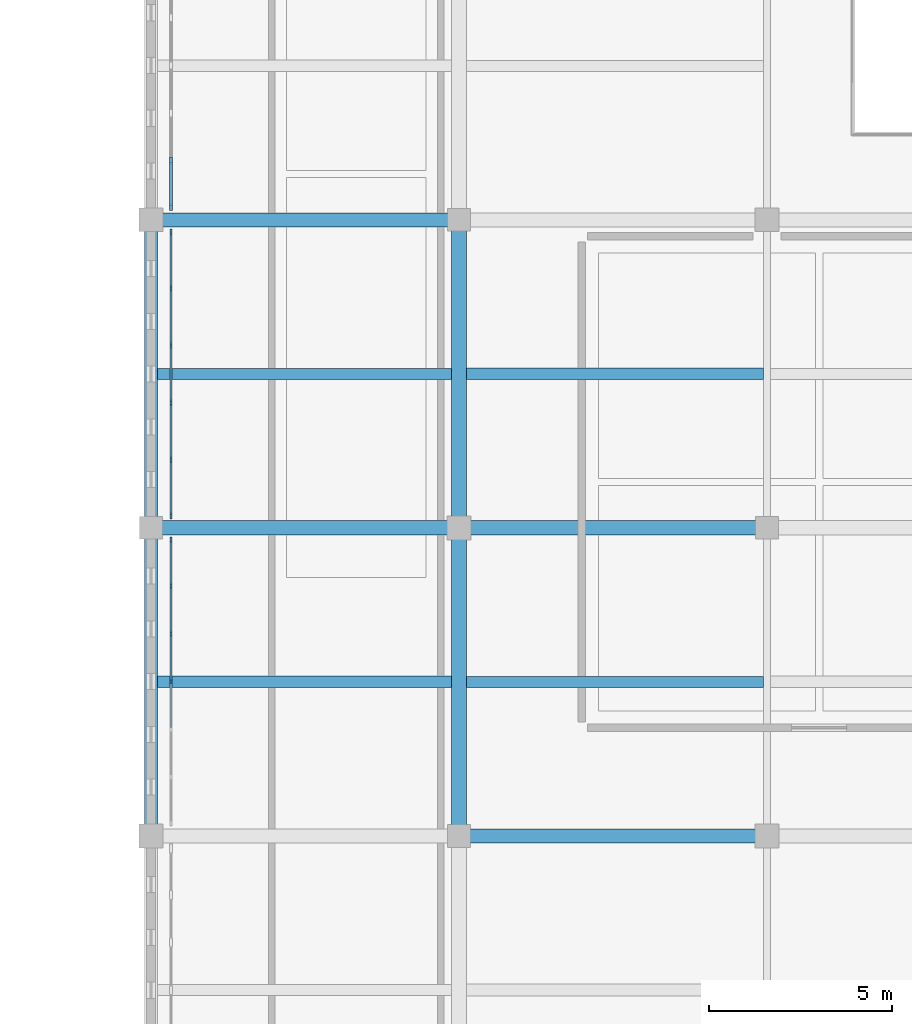
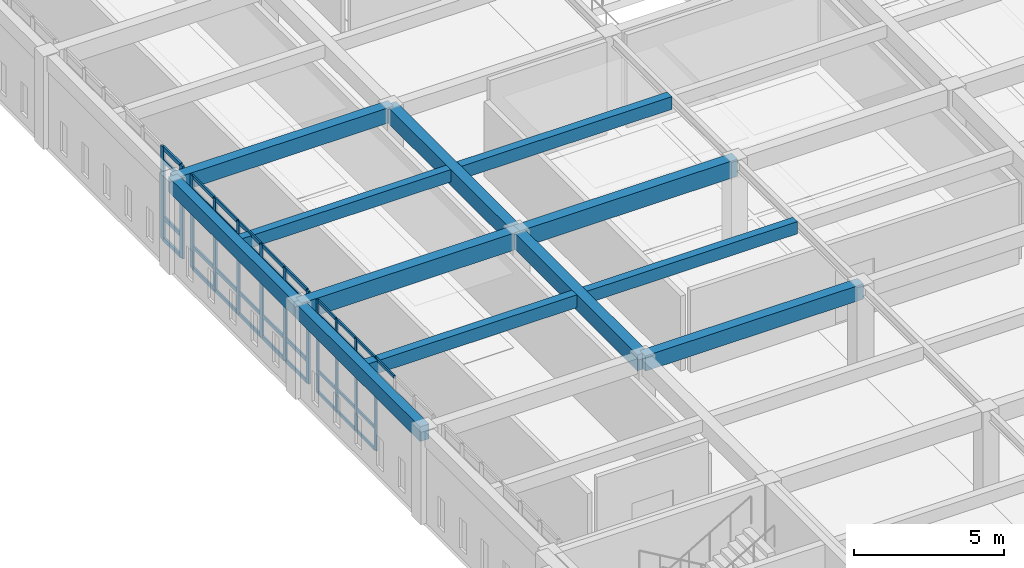
# One storey, part 6 of 47: 49 members, 12 beams, 3 elements without a shape of their own.
"""IFC4 building model written with IfcOpenShell, lengths in metres."""

from ifc_helpers import new_model, si_unit, direction, frame, origin, origin_2d, place, context, subcontext, project, spatial, rectangle, extrude, material, layer, layer_set, material_profile, profile_set, type_object, element, aggregate, save


model = new_model("IFC4")

# Units and contexts
model_context = context("Model", 3, precision=1e-05, world=origin(), true_north=direction((0.0, 1.0)))
body_context = subcontext(model_context, "Body", "Model", "MODEL_VIEW")
ifc_project = project(units=[si_unit("LENGTHUNIT", "METRE"), si_unit("AREAUNIT", "SQUARE_METRE"), si_unit("VOLUMEUNIT", "CUBIC_METRE"), si_unit("PLANEANGLEUNIT", "RADIAN"), si_unit("MASSUNIT", "GRAM", prefix="KILO")], contexts=[model_context])

# Site, building, storey
site_placement = place(None, origin())
site = spatial("IfcSite", under=ifc_project, at=site_placement, CompositionType="ELEMENT")
building_placement = place(site_placement, origin())
building = spatial("IfcBuilding", under=site, at=building_placement, Name="Kveldsbrygga Polytechnic", CompositionType="ELEMENT")
storey_placement = place(building_placement, frame((0.0, 0.0, 13.93994140625)))
storey = spatial("IfcBuildingStorey", under=building, at=storey_placement, Name="L03", CompositionType="ELEMENT", Elevation=13.93994140625)

# Beams
ifc_material_1 = material(Name="Concrete C35/45", Category="concrete")
ifc_material_profile_1 = material_profile(ifc_material_1, rectangle(XDim=0.3798828125, YDim=0.6201171875, at=origin_2d()), Name="RC 380x620")
ifc_profile_set_1 = profile_set([ifc_material_profile_1], Name="Concrete C35/45")
beam_type_1 = type_object("IfcBeamType", Name="BM-RC-380x620", PredefinedType="BEAM", material=ifc_profile_set_1)
beam_1_placement = place(storey_placement, frame((134.39990234375, 42.0, 3.43994140625), z_axis=(1.0, 0.0, 0.0), x_axis=(0.0, 1.0, 0.0)))
element("IfcBeam", 1, at=beam_1_placement, inside=storey, type_object=beam_type_1, Name="Primary Beam BMX-L03-16to17-05", PredefinedType="BEAM", context=body_context, shape_type="SweptSolid", body=[
    extrude(rectangle(XDim=0.3798828125, YDim=0.6201171875, at=origin_2d()), origin(), (0.0, 0.0, 1.0), 8.400146484375),
])
beam_2_placement = place(storey_placement, frame((126.0, 58.800048828125, 3.43994140625), z_axis=(1.0, 0.0, 0.0), x_axis=(0.0, 1.0, 0.0)))
element("IfcBeam", 2, at=beam_2_placement, inside=storey, type_object=beam_type_1, Name="Primary Beam BMX-L03-15to16-07", PredefinedType="BEAM", context=body_context, shape_type="SweptSolid", body=[
    extrude(rectangle(XDim=0.3798828125, YDim=0.6201171875, at=origin_2d()), origin(), (0.0, 0.0, 1.0), 8.39990234375),
])
ifc_material_profile_2 = material_profile(ifc_material_1, rectangle(XDim=0.39990234375, YDim=0.64990234375, at=origin_2d()), Name="RC 400x650")
ifc_profile_set_2 = profile_set([ifc_material_profile_2], Name="Concrete C35/45")
beam_type_2 = type_object("IfcBeamType", Name="BM-RC-400x650", PredefinedType="BEAM", material=ifc_profile_set_2)
beam_3_placement = place(storey_placement, frame((134.39990234375, 42.0, 3.425048828125), z_axis=(0.0, 1.0, 0.0), x_axis=(-1.0, 0.0, 0.0)))
element("IfcBeam", 3, at=beam_3_placement, inside=storey, type_object=beam_type_2, Name="Primary Beam BMY-L03-16-05to06", PredefinedType="BEAM", context=body_context, shape_type="SweptSolid", body=[
    extrude(rectangle(XDim=0.39990234375, YDim=0.64990234375, at=origin_2d()), origin(), (0.0, 0.0, 1.0), 8.39990234375),
])
beam_4_placement = place(storey_placement, frame((134.39990234375, 50.39990234375, 3.425048828125), z_axis=(0.0, 1.0, 0.0), x_axis=(-1.0, 0.0, 0.0)))
element("IfcBeam", 4, at=beam_4_placement, inside=storey, type_object=beam_type_2, Name="Primary Beam BMY-L03-16-06to07", PredefinedType="BEAM", context=body_context, shape_type="SweptSolid", body=[
    extrude(rectangle(XDim=0.39990234375, YDim=0.64990234375, at=origin_2d()), origin(), (0.0, 0.0, 1.0), 8.400146484375),
])
ifc_material_profile_3 = material_profile(ifc_material_1, rectangle(XDim=0.39990234375, YDim=0.699951171875, at=origin_2d()), Name="RC 400x700")
ifc_profile_set_3 = profile_set([ifc_material_profile_3], Name="Concrete C35/45")
beam_type_3 = type_object("IfcBeamType", Name="BM-RC-400x700", PredefinedType="BEAM", material=ifc_profile_set_3)
beam_5_placement = place(storey_placement, frame((126.0, 50.39990234375, 3.400146484375), z_axis=(1.0, 0.0, 0.0), x_axis=(0.0, 1.0, 0.0)))
element("IfcBeam", 5, at=beam_5_placement, inside=storey, type_object=beam_type_3, Name="Primary Beam BMX-L03-15to16-06", PredefinedType="BEAM", context=body_context, shape_type="SweptSolid", body=[
    extrude(rectangle(XDim=0.39990234375, YDim=0.699951171875, at=origin_2d()), origin(), (0.0, 0.0, 1.0), 8.39990234375),
])
beam_6_placement = place(storey_placement, frame((134.39990234375, 50.39990234375, 3.400146484375), z_axis=(1.0, 0.0, 0.0), x_axis=(0.0, 1.0, 0.0)))
element("IfcBeam", 6, at=beam_6_placement, inside=storey, type_object=beam_type_3, Name="Primary Beam BMX-L03-16to17-06", PredefinedType="BEAM", context=body_context, shape_type="SweptSolid", body=[
    extrude(rectangle(XDim=0.39990234375, YDim=0.699951171875, at=origin_2d()), origin(), (0.0, 0.0, 1.0), 8.400146484375),
])
ifc_material_profile_4 = material_profile(ifc_material_1, rectangle(XDim=0.35009765625, YDim=0.60009765625, at=origin_2d()), Name="RC 350x600")
ifc_profile_set_4 = profile_set([ifc_material_profile_4], Name="Concrete C35/45")
beam_type_4 = type_object("IfcBeamType", Name="BM-SPANDREL-600", PredefinedType="T_BEAM", material=ifc_profile_set_4)
beam_7_placement = place(storey_placement, frame((126.0, 42.0, 3.449951171875), z_axis=(0.0, 1.0, 0.0), x_axis=(-1.0, 0.0, 0.0)))
element("IfcBeam", 7, at=beam_7_placement, inside=storey, type_object=beam_type_4, Name="Primary Beam BMY-L03-15-05to06", PredefinedType="T_BEAM", context=body_context, shape_type="SweptSolid", body=[
    extrude(rectangle(XDim=0.35009765625, YDim=0.60009765625, at=origin_2d()), origin(), (0.0, 0.0, 1.0), 8.39990234375),
])
beam_8_placement = place(storey_placement, frame((126.0, 50.39990234375, 3.449951171875), z_axis=(0.0, 1.0, 0.0), x_axis=(-1.0, 0.0, 0.0)))
element("IfcBeam", 8, at=beam_8_placement, inside=storey, type_object=beam_type_4, Name="Primary Beam BMY-L03-15-06to07", PredefinedType="T_BEAM", context=body_context, shape_type="SweptSolid", body=[
    extrude(rectangle(XDim=0.35009765625, YDim=0.60009765625, at=origin_2d()), origin(), (0.0, 0.0, 1.0), 8.400146484375),
])

# Curtain wall, members
ifc_material_2 = material(Name="Anodised aluminium AW-6060", Category="aluminium")
ifc_layer_1 = layer(ifc_material_2, 0.179931640625)
ifc_layer_set_1 = layer_set([ifc_layer_1], Name="Anodised aluminium AW-6060")
curtain_wall_type_1 = type_object("IfcCurtainWallType", Name="CW-CONC-A", PredefinedType="USERDEFINED", material=ifc_layer_set_1)
curtain_wall_1_placement = place(storey_placement, origin())
curtain_wall_1 = element("IfcCurtainWall", 9, at=curtain_wall_1_placement, inside=storey, type_object=curtain_wall_type_1, Name="Curtain Wall CW-L03-Y-15-05", ObjectType="UNITISED CURTAIN WALL", PredefinedType="USERDEFINED")
ifc_material_profile_5 = material_profile(ifc_material_2, rectangle(XDim=0.06005859375, YDim=0.139892578125, at=origin_2d()), Name="ALU 60x140")
ifc_profile_set_5 = profile_set([ifc_material_profile_5], Name="Anodised aluminium AW-6060")
member_type_1 = type_object("IfcMemberType", Name="CW-MUL-140", PredefinedType="MULLION", material=ifc_profile_set_5)
member_1_placement = place(storey_placement, frame((126.550048828125, 46.20751953125, 0.0), z_axis=(0.0, 0.0, 1.0), x_axis=(-1.0, 0.0, 0.0)))
member_1 = element("IfcMember", 10, at=member_1_placement, type_object=member_type_1, Name="CW-01 mullion 4", PredefinedType="MULLION", context=body_context, shape_type="SweptSolid", body=[
    extrude(rectangle(XDim=0.06005859375, YDim=0.139892578125, at=origin_2d()), origin(), (0.0, 0.0, 1.0), 3.780029296875),
])
member_2_placement = place(storey_placement, frame((126.550048828125, 47.506591796875, 0.0), z_axis=(0.0, 0.0, 1.0), x_axis=(-1.0, 0.0, 0.0)))
member_2 = element("IfcMember", 11, at=member_2_placement, type_object=member_type_1, Name="CW-01 mullion 5", PredefinedType="MULLION", context=body_context, shape_type="SweptSolid", body=[
    extrude(rectangle(XDim=0.06005859375, YDim=0.139892578125, at=origin_2d()), origin(), (0.0, 0.0, 1.0), 3.780029296875),
])
member_3_placement = place(storey_placement, frame((126.550048828125, 48.805908203125, 0.0), z_axis=(0.0, 0.0, 1.0), x_axis=(-1.0, 0.0, 0.0)))
member_3 = element("IfcMember", 12, at=member_3_placement, type_object=member_type_1, Name="CW-01 mullion 6", PredefinedType="MULLION", context=body_context, shape_type="SweptSolid", body=[
    extrude(rectangle(XDim=0.06005859375, YDim=0.139892578125, at=origin_2d()), origin(), (0.0, 0.0, 1.0), 3.780029296875),
])
member_4_placement = place(storey_placement, frame((126.550048828125, 50.074951171875, 0.0), z_axis=(0.0, 0.0, 1.0), x_axis=(-1.0, 0.0, 0.0)))
member_4 = element("IfcMember", 13, at=member_4_placement, type_object=member_type_1, Name="CW-01 mullion 7", PredefinedType="MULLION", context=body_context, shape_type="SweptSolid", body=[
    extrude(rectangle(XDim=0.06005859375, YDim=0.139892578125, at=origin_2d()), origin(), (0.0, 0.0, 1.0), 3.780029296875),
])

ifc_layer_2 = layer(ifc_material_2, 0.199951171875)
ifc_layer_set_2 = layer_set([ifc_layer_2], Name="Anodised aluminium AW-6060")
curtain_wall_type_2 = type_object("IfcCurtainWallType", Name="CW-CONC-B", PredefinedType="USERDEFINED", material=ifc_layer_set_2)
curtain_wall_2_placement = place(storey_placement, origin())
curtain_wall_2 = element("IfcCurtainWall", 14, at=curtain_wall_2_placement, inside=storey, type_object=curtain_wall_type_2, Name="Curtain Wall CW-L03-Y-15-06", ObjectType="UNITISED CURTAIN WALL", PredefinedType="USERDEFINED")
ifc_material_profile_6 = material_profile(ifc_material_2, rectangle(XDim=0.06005859375, YDim=0.179931640625, at=origin_2d()), Name="ALU 60x180")
ifc_profile_set_6 = profile_set([ifc_material_profile_6], Name="Anodised aluminium AW-6060")
member_type_2 = type_object("IfcMemberType", Name="CW-MUL-180", PredefinedType="MULLION", material=ifc_profile_set_6)
member_5_placement = place(storey_placement, frame((126.550048828125, 50.72509765625, 0.0), z_axis=(0.0, 0.0, 1.0), x_axis=(-1.0, 0.0, 0.0)))
member_5 = element("IfcMember", 15, at=member_5_placement, type_object=member_type_2, Name="CW-02 mullion 1", PredefinedType="MULLION", context=body_context, shape_type="SweptSolid", body=[
    extrude(rectangle(XDim=0.06005859375, YDim=0.179931640625, at=origin_2d()), origin(), (0.0, 0.0, 1.0), 3.780029296875),
])
member_6_placement = place(storey_placement, frame((126.550048828125, 52.25390625, 0.0), z_axis=(0.0, 0.0, 1.0), x_axis=(-1.0, 0.0, 0.0)))
member_6 = element("IfcMember", 16, at=member_6_placement, type_object=member_type_2, Name="CW-02 mullion 2", PredefinedType="MULLION", context=body_context, shape_type="SweptSolid", body=[
    extrude(rectangle(XDim=0.06005859375, YDim=0.179931640625, at=origin_2d()), origin(), (0.0, 0.0, 1.0), 3.780029296875),
])
member_7_placement = place(storey_placement, frame((126.550048828125, 53.81298828125, 0.0), z_axis=(0.0, 0.0, 1.0), x_axis=(-1.0, 0.0, 0.0)))
member_7 = element("IfcMember", 17, at=member_7_placement, type_object=member_type_2, Name="CW-02 mullion 3", PredefinedType="MULLION", context=body_context, shape_type="SweptSolid", body=[
    extrude(rectangle(XDim=0.06005859375, YDim=0.179931640625, at=origin_2d()), origin(), (0.0, 0.0, 1.0), 3.780029296875),
])
member_8_placement = place(storey_placement, frame((126.550048828125, 55.3720703125, 0.0), z_axis=(0.0, 0.0, 1.0), x_axis=(-1.0, 0.0, 0.0)))
member_8 = element("IfcMember", 18, at=member_8_placement, type_object=member_type_2, Name="CW-02 mullion 4", PredefinedType="MULLION", context=body_context, shape_type="SweptSolid", body=[
    extrude(rectangle(XDim=0.06005859375, YDim=0.179931640625, at=origin_2d()), origin(), (0.0, 0.0, 1.0), 3.780029296875),
])
member_9_placement = place(storey_placement, frame((126.550048828125, 56.930908203125, 0.0), z_axis=(0.0, 0.0, 1.0), x_axis=(-1.0, 0.0, 0.0)))
member_9 = element("IfcMember", 19, at=member_9_placement, type_object=member_type_2, Name="CW-02 mullion 5", PredefinedType="MULLION", context=body_context, shape_type="SweptSolid", body=[
    extrude(rectangle(XDim=0.06005859375, YDim=0.179931640625, at=origin_2d()), origin(), (0.0, 0.0, 1.0), 3.780029296875),
])
member_10_placement = place(storey_placement, frame((126.550048828125, 58.4599609375, 0.0), z_axis=(0.0, 0.0, 1.0), x_axis=(-1.0, 0.0, 0.0)))
member_10 = element("IfcMember", 20, at=member_10_placement, type_object=member_type_2, Name="CW-02 mullion 6", PredefinedType="MULLION", context=body_context, shape_type="SweptSolid", body=[
    extrude(rectangle(XDim=0.06005859375, YDim=0.179931640625, at=origin_2d()), origin(), (0.0, 0.0, 1.0), 3.780029296875),
])

ifc_layer_3 = layer(ifc_material_2, 0.159912109375)
ifc_layer_set_3 = layer_set([ifc_layer_3], Name="Anodised aluminium AW-6060")
curtain_wall_type_3 = type_object("IfcCurtainWallType", Name="CW-CLER-C", PredefinedType="USERDEFINED", material=ifc_layer_set_3)
curtain_wall_3_placement = place(storey_placement, origin())
curtain_wall_3 = element("IfcCurtainWall", 21, at=curtain_wall_3_placement, inside=storey, type_object=curtain_wall_type_3, Name="Curtain Wall CW-L03-Y-15-07", ObjectType="STICK CURTAIN WALL", PredefinedType="USERDEFINED")
ifc_material_profile_7 = material_profile(ifc_material_2, rectangle(XDim=0.074951171875, YDim=0.199951171875, at=origin_2d()), Name="ALU 75x200")
ifc_profile_set_7 = profile_set([ifc_material_profile_7], Name="Anodised aluminium AW-6060")
member_type_3 = type_object("IfcMemberType", Name="CW-MUL-200", PredefinedType="MULLION", material=ifc_profile_set_7)
member_11_placement = place(storey_placement, frame((126.550048828125, 59.1474609375, 0.0), z_axis=(0.0, 0.0, 1.0), x_axis=(-1.0, 0.0, 0.0)))
member_11 = element("IfcMember", 22, at=member_11_placement, type_object=member_type_3, Name="CW-03 mullion 1", PredefinedType="MULLION", context=body_context, shape_type="SweptSolid", body=[
    extrude(rectangle(XDim=0.074951171875, YDim=0.199951171875, at=origin_2d()), origin(), (0.0, 0.0, 1.0), 3.780029296875),
])
member_12_placement = place(storey_placement, frame((126.550048828125, 60.4091796875, 0.0), z_axis=(0.0, 0.0, 1.0), x_axis=(-1.0, 0.0, 0.0)))
member_12 = element("IfcMember", 23, at=member_12_placement, type_object=member_type_3, Name="CW-03 mullion 2", PredefinedType="MULLION", context=body_context, shape_type="SweptSolid", body=[
    extrude(rectangle(XDim=0.074951171875, YDim=0.199951171875, at=origin_2d()), origin(), (0.0, 0.0, 1.0), 3.780029296875),
])

# Member
ifc_material_profile_8 = material_profile(ifc_material_2, rectangle(XDim=0.06005859375, YDim=0.1201171875, at=origin_2d()), Name="ALU 60x120")
ifc_profile_set_8 = profile_set([ifc_material_profile_8], Name="Anodised aluminium AW-6060")
member_type_4 = type_object("IfcMemberType", Name="CW-TRN-120", PredefinedType="USERDEFINED", material=ifc_profile_set_8)
member_13_placement = place(storey_placement, frame((126.550048828125, 44.938232421875, 3.75), z_axis=(0.0, 1.0, 0.0), x_axis=(-1.0, 0.0, 0.0)))
member_13 = element("IfcMember", 24, at=member_13_placement, type_object=member_type_4, Name="CW-01 transom 3.4", ObjectType="TRANSOM", PredefinedType="USERDEFINED", context=body_context, shape_type="SweptSolid", body=[
    extrude(rectangle(XDim=0.06005859375, YDim=0.1201171875, at=origin_2d()), origin(), (0.0, 0.0, 1.0), 1.2392578125),
])

member_14_placement = place(storey_placement, frame((126.550048828125, 46.237548828125, 0.030029296875), z_axis=(0.0, 1.0, 0.0), x_axis=(-1.0, 0.0, 0.0)))
member_14 = element("IfcMember", 25, at=member_14_placement, type_object=member_type_4, Name="CW-01 transom 4.1", ObjectType="TRANSOM", PredefinedType="USERDEFINED", context=body_context, shape_type="SweptSolid", body=[
    extrude(rectangle(XDim=0.06005859375, YDim=0.1201171875, at=origin_2d()), origin(), (0.0, 0.0, 1.0), 1.239013671875),
])

member_15_placement = place(storey_placement, frame((126.550048828125, 46.237548828125, 0.900146484375), z_axis=(0.0, 1.0, 0.0), x_axis=(-1.0, 0.0, 0.0)))
member_15 = element("IfcMember", 26, at=member_15_placement, type_object=member_type_4, Name="CW-01 transom 4.2", ObjectType="TRANSOM", PredefinedType="USERDEFINED", context=body_context, shape_type="SweptSolid", body=[
    extrude(rectangle(XDim=0.06005859375, YDim=0.1201171875, at=origin_2d()), origin(), (0.0, 0.0, 1.0), 1.239013671875),
])

member_16_placement = place(storey_placement, frame((126.550048828125, 46.237548828125, 3.22998046875), z_axis=(0.0, 1.0, 0.0), x_axis=(-1.0, 0.0, 0.0)))
member_16 = element("IfcMember", 27, at=member_16_placement, type_object=member_type_4, Name="CW-01 transom 4.3", ObjectType="TRANSOM", PredefinedType="USERDEFINED", context=body_context, shape_type="SweptSolid", body=[
    extrude(rectangle(XDim=0.06005859375, YDim=0.1201171875, at=origin_2d()), origin(), (0.0, 0.0, 1.0), 1.239013671875),
])

member_17_placement = place(storey_placement, frame((126.550048828125, 46.237548828125, 3.75), z_axis=(0.0, 1.0, 0.0), x_axis=(-1.0, 0.0, 0.0)))
member_17 = element("IfcMember", 28, at=member_17_placement, type_object=member_type_4, Name="CW-01 transom 4.4", ObjectType="TRANSOM", PredefinedType="USERDEFINED", context=body_context, shape_type="SweptSolid", body=[
    extrude(rectangle(XDim=0.06005859375, YDim=0.1201171875, at=origin_2d()), origin(), (0.0, 0.0, 1.0), 1.239013671875),
])

member_18_placement = place(storey_placement, frame((126.550048828125, 47.53662109375, 0.030029296875), z_axis=(0.0, 1.0, 0.0), x_axis=(-1.0, 0.0, 0.0)))
member_18 = element("IfcMember", 29, at=member_18_placement, type_object=member_type_4, Name="CW-01 transom 5.1", ObjectType="TRANSOM", PredefinedType="USERDEFINED", context=body_context, shape_type="SweptSolid", body=[
    extrude(rectangle(XDim=0.06005859375, YDim=0.1201171875, at=origin_2d()), origin(), (0.0, 0.0, 1.0), 1.2392578125),
])

member_19_placement = place(storey_placement, frame((126.550048828125, 47.53662109375, 0.900146484375), z_axis=(0.0, 1.0, 0.0), x_axis=(-1.0, 0.0, 0.0)))
member_19 = element("IfcMember", 30, at=member_19_placement, type_object=member_type_4, Name="CW-01 transom 5.2", ObjectType="TRANSOM", PredefinedType="USERDEFINED", context=body_context, shape_type="SweptSolid", body=[
    extrude(rectangle(XDim=0.06005859375, YDim=0.1201171875, at=origin_2d()), origin(), (0.0, 0.0, 1.0), 1.2392578125),
])

member_20_placement = place(storey_placement, frame((126.550048828125, 47.53662109375, 3.22998046875), z_axis=(0.0, 1.0, 0.0), x_axis=(-1.0, 0.0, 0.0)))
member_20 = element("IfcMember", 31, at=member_20_placement, type_object=member_type_4, Name="CW-01 transom 5.3", ObjectType="TRANSOM", PredefinedType="USERDEFINED", context=body_context, shape_type="SweptSolid", body=[
    extrude(rectangle(XDim=0.06005859375, YDim=0.1201171875, at=origin_2d()), origin(), (0.0, 0.0, 1.0), 1.2392578125),
])

member_21_placement = place(storey_placement, frame((126.550048828125, 47.53662109375, 3.75), z_axis=(0.0, 1.0, 0.0), x_axis=(-1.0, 0.0, 0.0)))
member_21 = element("IfcMember", 32, at=member_21_placement, type_object=member_type_4, Name="CW-01 transom 5.4", ObjectType="TRANSOM", PredefinedType="USERDEFINED", context=body_context, shape_type="SweptSolid", body=[
    extrude(rectangle(XDim=0.06005859375, YDim=0.1201171875, at=origin_2d()), origin(), (0.0, 0.0, 1.0), 1.2392578125),
])

member_22_placement = place(storey_placement, frame((126.550048828125, 48.8359375, 0.030029296875), z_axis=(0.0, 1.0, 0.0), x_axis=(-1.0, 0.0, 0.0)))
member_22 = element("IfcMember", 33, at=member_22_placement, type_object=member_type_4, Name="CW-01 transom 6.1", ObjectType="TRANSOM", PredefinedType="USERDEFINED", context=body_context, shape_type="SweptSolid", body=[
    extrude(rectangle(XDim=0.06005859375, YDim=0.1201171875, at=origin_2d()), origin(), (0.0, 0.0, 1.0), 1.208984375),
])

member_23_placement = place(storey_placement, frame((126.550048828125, 48.8359375, 0.900146484375), z_axis=(0.0, 1.0, 0.0), x_axis=(-1.0, 0.0, 0.0)))
member_23 = element("IfcMember", 34, at=member_23_placement, type_object=member_type_4, Name="CW-01 transom 6.2", ObjectType="TRANSOM", PredefinedType="USERDEFINED", context=body_context, shape_type="SweptSolid", body=[
    extrude(rectangle(XDim=0.06005859375, YDim=0.1201171875, at=origin_2d()), origin(), (0.0, 0.0, 1.0), 1.208984375),
])

member_24_placement = place(storey_placement, frame((126.550048828125, 48.8359375, 3.22998046875), z_axis=(0.0, 1.0, 0.0), x_axis=(-1.0, 0.0, 0.0)))
member_24 = element("IfcMember", 35, at=member_24_placement, type_object=member_type_4, Name="CW-01 transom 6.3", ObjectType="TRANSOM", PredefinedType="USERDEFINED", context=body_context, shape_type="SweptSolid", body=[
    extrude(rectangle(XDim=0.06005859375, YDim=0.1201171875, at=origin_2d()), origin(), (0.0, 0.0, 1.0), 1.208984375),
])

member_25_placement = place(storey_placement, frame((126.550048828125, 48.8359375, 3.75), z_axis=(0.0, 1.0, 0.0), x_axis=(-1.0, 0.0, 0.0)))
member_25 = element("IfcMember", 36, at=member_25_placement, type_object=member_type_4, Name="CW-01 transom 6.4", ObjectType="TRANSOM", PredefinedType="USERDEFINED", context=body_context, shape_type="SweptSolid", body=[
    extrude(rectangle(XDim=0.06005859375, YDim=0.1201171875, at=origin_2d()), origin(), (0.0, 0.0, 1.0), 1.208984375),
])

aggregate(curtain_wall_1, [member_1, member_2, member_3, member_4, member_13, member_14, member_15, member_16, member_17, member_18, member_19, member_20, member_21, member_22, member_23, member_24, member_25])

ifc_material_profile_9 = material_profile(ifc_material_2, rectangle(XDim=0.06005859375, YDim=0.14990234375, at=origin_2d()), Name="ALU 60x150")
ifc_profile_set_9 = profile_set([ifc_material_profile_9], Name="Anodised aluminium AW-6060")
member_type_5 = type_object("IfcMemberType", Name="CW-TRN-150", PredefinedType="USERDEFINED", material=ifc_profile_set_9)
member_26_placement = place(storey_placement, frame((126.550048828125, 50.7548828125, 0.030029296875), z_axis=(0.0, 1.0, 0.0), x_axis=(-1.0, 0.0, 0.0)))
member_26 = element("IfcMember", 37, at=member_26_placement, type_object=member_type_5, Name="CW-02 transom 1.1", ObjectType="TRANSOM", PredefinedType="USERDEFINED", context=body_context, shape_type="SweptSolid", body=[
    extrude(rectangle(XDim=0.06005859375, YDim=0.14990234375, at=origin_2d()), origin(), (0.0, 0.0, 1.0), 1.46923828125),
])

member_27_placement = place(storey_placement, frame((126.550048828125, 50.7548828125, 0.900146484375), z_axis=(0.0, 1.0, 0.0), x_axis=(-1.0, 0.0, 0.0)))
member_27 = element("IfcMember", 38, at=member_27_placement, type_object=member_type_5, Name="CW-02 transom 1.2", ObjectType="TRANSOM", PredefinedType="USERDEFINED", context=body_context, shape_type="SweptSolid", body=[
    extrude(rectangle(XDim=0.06005859375, YDim=0.14990234375, at=origin_2d()), origin(), (0.0, 0.0, 1.0), 1.46923828125),
])

member_28_placement = place(storey_placement, frame((126.550048828125, 50.7548828125, 3.22998046875), z_axis=(0.0, 1.0, 0.0), x_axis=(-1.0, 0.0, 0.0)))
member_28 = element("IfcMember", 39, at=member_28_placement, type_object=member_type_5, Name="CW-02 transom 1.3", ObjectType="TRANSOM", PredefinedType="USERDEFINED", context=body_context, shape_type="SweptSolid", body=[
    extrude(rectangle(XDim=0.06005859375, YDim=0.14990234375, at=origin_2d()), origin(), (0.0, 0.0, 1.0), 1.46923828125),
])

member_29_placement = place(storey_placement, frame((126.550048828125, 50.7548828125, 3.75), z_axis=(0.0, 1.0, 0.0), x_axis=(-1.0, 0.0, 0.0)))
member_29 = element("IfcMember", 40, at=member_29_placement, type_object=member_type_5, Name="CW-02 transom 1.4", ObjectType="TRANSOM", PredefinedType="USERDEFINED", context=body_context, shape_type="SweptSolid", body=[
    extrude(rectangle(XDim=0.06005859375, YDim=0.14990234375, at=origin_2d()), origin(), (0.0, 0.0, 1.0), 1.46923828125),
])

member_30_placement = place(storey_placement, frame((126.550048828125, 52.283935546875, 0.030029296875), z_axis=(0.0, 1.0, 0.0), x_axis=(-1.0, 0.0, 0.0)))
member_30 = element("IfcMember", 41, at=member_30_placement, type_object=member_type_5, Name="CW-02 transom 2.1", ObjectType="TRANSOM", PredefinedType="USERDEFINED", context=body_context, shape_type="SweptSolid", body=[
    extrude(rectangle(XDim=0.06005859375, YDim=0.14990234375, at=origin_2d()), origin(), (0.0, 0.0, 1.0), 1.4990234375),
])

member_31_placement = place(storey_placement, frame((126.550048828125, 52.283935546875, 0.900146484375), z_axis=(0.0, 1.0, 0.0), x_axis=(-1.0, 0.0, 0.0)))
member_31 = element("IfcMember", 42, at=member_31_placement, type_object=member_type_5, Name="CW-02 transom 2.2", ObjectType="TRANSOM", PredefinedType="USERDEFINED", context=body_context, shape_type="SweptSolid", body=[
    extrude(rectangle(XDim=0.06005859375, YDim=0.14990234375, at=origin_2d()), origin(), (0.0, 0.0, 1.0), 1.4990234375),
])

member_32_placement = place(storey_placement, frame((126.550048828125, 52.283935546875, 3.22998046875), z_axis=(0.0, 1.0, 0.0), x_axis=(-1.0, 0.0, 0.0)))
member_32 = element("IfcMember", 43, at=member_32_placement, type_object=member_type_5, Name="CW-02 transom 2.3", ObjectType="TRANSOM", PredefinedType="USERDEFINED", context=body_context, shape_type="SweptSolid", body=[
    extrude(rectangle(XDim=0.06005859375, YDim=0.14990234375, at=origin_2d()), origin(), (0.0, 0.0, 1.0), 1.4990234375),
])

member_33_placement = place(storey_placement, frame((126.550048828125, 52.283935546875, 3.75), z_axis=(0.0, 1.0, 0.0), x_axis=(-1.0, 0.0, 0.0)))
member_33 = element("IfcMember", 44, at=member_33_placement, type_object=member_type_5, Name="CW-02 transom 2.4", ObjectType="TRANSOM", PredefinedType="USERDEFINED", context=body_context, shape_type="SweptSolid", body=[
    extrude(rectangle(XDim=0.06005859375, YDim=0.14990234375, at=origin_2d()), origin(), (0.0, 0.0, 1.0), 1.4990234375),
])

member_34_placement = place(storey_placement, frame((126.550048828125, 53.843017578125, 0.030029296875), z_axis=(0.0, 1.0, 0.0), x_axis=(-1.0, 0.0, 0.0)))
member_34 = element("IfcMember", 45, at=member_34_placement, type_object=member_type_5, Name="CW-02 transom 3.1", ObjectType="TRANSOM", PredefinedType="USERDEFINED", context=body_context, shape_type="SweptSolid", body=[
    extrude(rectangle(XDim=0.06005859375, YDim=0.14990234375, at=origin_2d()), origin(), (0.0, 0.0, 1.0), 1.4990234375),
])

member_35_placement = place(storey_placement, frame((126.550048828125, 53.843017578125, 0.900146484375), z_axis=(0.0, 1.0, 0.0), x_axis=(-1.0, 0.0, 0.0)))
member_35 = element("IfcMember", 46, at=member_35_placement, type_object=member_type_5, Name="CW-02 transom 3.2", ObjectType="TRANSOM", PredefinedType="USERDEFINED", context=body_context, shape_type="SweptSolid", body=[
    extrude(rectangle(XDim=0.06005859375, YDim=0.14990234375, at=origin_2d()), origin(), (0.0, 0.0, 1.0), 1.4990234375),
])

member_36_placement = place(storey_placement, frame((126.550048828125, 53.843017578125, 3.22998046875), z_axis=(0.0, 1.0, 0.0), x_axis=(-1.0, 0.0, 0.0)))
member_36 = element("IfcMember", 47, at=member_36_placement, type_object=member_type_5, Name="CW-02 transom 3.3", ObjectType="TRANSOM", PredefinedType="USERDEFINED", context=body_context, shape_type="SweptSolid", body=[
    extrude(rectangle(XDim=0.06005859375, YDim=0.14990234375, at=origin_2d()), origin(), (0.0, 0.0, 1.0), 1.4990234375),
])

member_37_placement = place(storey_placement, frame((126.550048828125, 53.843017578125, 3.75), z_axis=(0.0, 1.0, 0.0), x_axis=(-1.0, 0.0, 0.0)))
member_37 = element("IfcMember", 48, at=member_37_placement, type_object=member_type_5, Name="CW-02 transom 3.4", ObjectType="TRANSOM", PredefinedType="USERDEFINED", context=body_context, shape_type="SweptSolid", body=[
    extrude(rectangle(XDim=0.06005859375, YDim=0.14990234375, at=origin_2d()), origin(), (0.0, 0.0, 1.0), 1.4990234375),
])

member_38_placement = place(storey_placement, frame((126.550048828125, 55.402099609375, 0.030029296875), z_axis=(0.0, 1.0, 0.0), x_axis=(-1.0, 0.0, 0.0)))
member_38 = element("IfcMember", 49, at=member_38_placement, type_object=member_type_5, Name="CW-02 transom 4.1", ObjectType="TRANSOM", PredefinedType="USERDEFINED", context=body_context, shape_type="SweptSolid", body=[
    extrude(rectangle(XDim=0.06005859375, YDim=0.14990234375, at=origin_2d()), origin(), (0.0, 0.0, 1.0), 1.498779296875),
])

member_39_placement = place(storey_placement, frame((126.550048828125, 55.402099609375, 0.900146484375), z_axis=(0.0, 1.0, 0.0), x_axis=(-1.0, 0.0, 0.0)))
member_39 = element("IfcMember", 50, at=member_39_placement, type_object=member_type_5, Name="CW-02 transom 4.2", ObjectType="TRANSOM", PredefinedType="USERDEFINED", context=body_context, shape_type="SweptSolid", body=[
    extrude(rectangle(XDim=0.06005859375, YDim=0.14990234375, at=origin_2d()), origin(), (0.0, 0.0, 1.0), 1.498779296875),
])

member_40_placement = place(storey_placement, frame((126.550048828125, 55.402099609375, 3.22998046875), z_axis=(0.0, 1.0, 0.0), x_axis=(-1.0, 0.0, 0.0)))
member_40 = element("IfcMember", 51, at=member_40_placement, type_object=member_type_5, Name="CW-02 transom 4.3", ObjectType="TRANSOM", PredefinedType="USERDEFINED", context=body_context, shape_type="SweptSolid", body=[
    extrude(rectangle(XDim=0.06005859375, YDim=0.14990234375, at=origin_2d()), origin(), (0.0, 0.0, 1.0), 1.498779296875),
])

member_41_placement = place(storey_placement, frame((126.550048828125, 55.402099609375, 3.75), z_axis=(0.0, 1.0, 0.0), x_axis=(-1.0, 0.0, 0.0)))
member_41 = element("IfcMember", 52, at=member_41_placement, type_object=member_type_5, Name="CW-02 transom 4.4", ObjectType="TRANSOM", PredefinedType="USERDEFINED", context=body_context, shape_type="SweptSolid", body=[
    extrude(rectangle(XDim=0.06005859375, YDim=0.14990234375, at=origin_2d()), origin(), (0.0, 0.0, 1.0), 1.498779296875),
])

member_42_placement = place(storey_placement, frame((126.550048828125, 56.9609375, 0.030029296875), z_axis=(0.0, 1.0, 0.0), x_axis=(-1.0, 0.0, 0.0)))
member_42 = element("IfcMember", 53, at=member_42_placement, type_object=member_type_5, Name="CW-02 transom 5.1", ObjectType="TRANSOM", PredefinedType="USERDEFINED", context=body_context, shape_type="SweptSolid", body=[
    extrude(rectangle(XDim=0.06005859375, YDim=0.14990234375, at=origin_2d()), origin(), (0.0, 0.0, 1.0), 1.468994140625),
])

member_43_placement = place(storey_placement, frame((126.550048828125, 56.9609375, 0.900146484375), z_axis=(0.0, 1.0, 0.0), x_axis=(-1.0, 0.0, 0.0)))
member_43 = element("IfcMember", 54, at=member_43_placement, type_object=member_type_5, Name="CW-02 transom 5.2", ObjectType="TRANSOM", PredefinedType="USERDEFINED", context=body_context, shape_type="SweptSolid", body=[
    extrude(rectangle(XDim=0.06005859375, YDim=0.14990234375, at=origin_2d()), origin(), (0.0, 0.0, 1.0), 1.468994140625),
])

member_44_placement = place(storey_placement, frame((126.550048828125, 56.9609375, 3.22998046875), z_axis=(0.0, 1.0, 0.0), x_axis=(-1.0, 0.0, 0.0)))
member_44 = element("IfcMember", 55, at=member_44_placement, type_object=member_type_5, Name="CW-02 transom 5.3", ObjectType="TRANSOM", PredefinedType="USERDEFINED", context=body_context, shape_type="SweptSolid", body=[
    extrude(rectangle(XDim=0.06005859375, YDim=0.14990234375, at=origin_2d()), origin(), (0.0, 0.0, 1.0), 1.468994140625),
])

member_45_placement = place(storey_placement, frame((126.550048828125, 56.9609375, 3.75), z_axis=(0.0, 1.0, 0.0), x_axis=(-1.0, 0.0, 0.0)))
member_45 = element("IfcMember", 56, at=member_45_placement, type_object=member_type_5, Name="CW-02 transom 5.4", ObjectType="TRANSOM", PredefinedType="USERDEFINED", context=body_context, shape_type="SweptSolid", body=[
    extrude(rectangle(XDim=0.06005859375, YDim=0.14990234375, at=origin_2d()), origin(), (0.0, 0.0, 1.0), 1.468994140625),
])

aggregate(curtain_wall_2, [member_5, member_6, member_7, member_8, member_9, member_10, member_26, member_27, member_28, member_29, member_30, member_31, member_32, member_33, member_34, member_35, member_36, member_37, member_38, member_39, member_40, member_41, member_42, member_43, member_44, member_45])

ifc_material_profile_10 = material_profile(ifc_material_2, rectangle(XDim=0.074951171875, YDim=0.159912109375, at=origin_2d()), Name="ALU 75x160")
ifc_profile_set_10 = profile_set([ifc_material_profile_10], Name="Anodised aluminium AW-6060")
member_type_6 = type_object("IfcMemberType", Name="CW-TRN-160", PredefinedType="USERDEFINED", material=ifc_profile_set_10)
member_46_placement = place(storey_placement, frame((126.550048828125, 59.18505859375, 0.03759765625), z_axis=(0.0, 1.0, 0.0), x_axis=(-1.0, 0.0, 0.0)))
member_46 = element("IfcMember", 57, at=member_46_placement, type_object=member_type_6, Name="CW-03 transom 1.1", ObjectType="TRANSOM", PredefinedType="USERDEFINED", context=body_context, shape_type="SweptSolid", body=[
    extrude(rectangle(XDim=0.074951171875, YDim=0.159912109375, at=origin_2d()), origin(), (0.0, 0.0, 1.0), 1.1865234375),
])

member_47_placement = place(storey_placement, frame((126.550048828125, 59.18505859375, 0.900146484375), z_axis=(0.0, 1.0, 0.0), x_axis=(-1.0, 0.0, 0.0)))
member_47 = element("IfcMember", 58, at=member_47_placement, type_object=member_type_6, Name="CW-03 transom 1.2", ObjectType="TRANSOM", PredefinedType="USERDEFINED", context=body_context, shape_type="SweptSolid", body=[
    extrude(rectangle(XDim=0.074951171875, YDim=0.159912109375, at=origin_2d()), origin(), (0.0, 0.0, 1.0), 1.1865234375),
])

member_48_placement = place(storey_placement, frame((126.550048828125, 59.18505859375, 3.22998046875), z_axis=(0.0, 1.0, 0.0), x_axis=(-1.0, 0.0, 0.0)))
member_48 = element("IfcMember", 59, at=member_48_placement, type_object=member_type_6, Name="CW-03 transom 1.3", ObjectType="TRANSOM", PredefinedType="USERDEFINED", context=body_context, shape_type="SweptSolid", body=[
    extrude(rectangle(XDim=0.074951171875, YDim=0.159912109375, at=origin_2d()), origin(), (0.0, 0.0, 1.0), 1.1865234375),
])

member_49_placement = place(storey_placement, frame((126.550048828125, 59.18505859375, 3.74267578125), z_axis=(0.0, 1.0, 0.0), x_axis=(-1.0, 0.0, 0.0)))
member_49 = element("IfcMember", 60, at=member_49_placement, type_object=member_type_6, Name="CW-03 transom 1.4", ObjectType="TRANSOM", PredefinedType="USERDEFINED", context=body_context, shape_type="SweptSolid", body=[
    extrude(rectangle(XDim=0.074951171875, YDim=0.159912109375, at=origin_2d()), origin(), (0.0, 0.0, 1.0), 1.1865234375),
])

aggregate(curtain_wall_3, [member_11, member_12, member_46, member_47, member_48, member_49])

# Beams
ifc_material_profile_11 = material_profile(ifc_material_1, rectangle(XDim=0.300048828125, YDim=0.5, at=origin_2d()), Name="RC 300x500")
ifc_profile_set_11 = profile_set([ifc_material_profile_11], Name="Concrete C35/45")
beam_type_5 = type_object("IfcBeamType", Name="JST-RC-300x500", PredefinedType="JOIST", material=ifc_profile_set_11)
beam_9_placement = place(storey_placement, frame((126.175048828125, 54.60009765625, 3.5), z_axis=(1.0, 0.0, 0.0), x_axis=(0.0, 1.0, 0.0)))
element("IfcBeam", 61, at=beam_9_placement, inside=storey, type_object=beam_type_5, Name="Secondary Joist JST-L03-15-06", PredefinedType="JOIST", context=body_context, shape_type="SweptSolid", body=[
    extrude(rectangle(XDim=0.300048828125, YDim=0.5, at=origin_2d()), origin(), (0.0, 0.0, 1.0), 8.02490234375),
])
beam_10_placement = place(storey_placement, frame((134.60009765625, 46.199951171875, 3.5), z_axis=(1.0, 0.0, 0.0), x_axis=(0.0, 1.0, 0.0)))
element("IfcBeam", 62, at=beam_10_placement, inside=storey, type_object=beam_type_5, Name="Secondary Joist JST-L03-16-05", PredefinedType="JOIST", context=body_context, shape_type="SweptSolid", body=[
    extrude(rectangle(XDim=0.300048828125, YDim=0.5, at=origin_2d()), origin(), (0.0, 0.0, 1.0), 8.10986328125),
])
ifc_material_profile_12 = material_profile(ifc_material_1, rectangle(XDim=0.320068359375, YDim=0.52001953125, at=origin_2d()), Name="RC 320x520")
ifc_profile_set_12 = profile_set([ifc_material_profile_12], Name="Concrete C35/45")
beam_type_6 = type_object("IfcBeamType", Name="JST-RC-320x520", PredefinedType="JOIST", material=ifc_profile_set_12)
beam_11_placement = place(storey_placement, frame((126.175048828125, 46.199951171875, 3.489990234375), z_axis=(1.0, 0.0, 0.0), x_axis=(0.0, 1.0, 0.0)))
element("IfcBeam", 63, at=beam_11_placement, inside=storey, type_object=beam_type_6, Name="Secondary Joist JST-L03-15-05", PredefinedType="JOIST", context=body_context, shape_type="SweptSolid", body=[
    extrude(rectangle(XDim=0.320068359375, YDim=0.52001953125, at=origin_2d()), origin(), (0.0, 0.0, 1.0), 8.02490234375),
])
beam_12_placement = place(storey_placement, frame((134.60009765625, 54.60009765625, 3.489990234375), z_axis=(1.0, 0.0, 0.0), x_axis=(0.0, 1.0, 0.0)))
element("IfcBeam", 64, at=beam_12_placement, inside=storey, type_object=beam_type_6, Name="Secondary Joist JST-L03-16-06", PredefinedType="JOIST", context=body_context, shape_type="SweptSolid", body=[
    extrude(rectangle(XDim=0.320068359375, YDim=0.52001953125, at=origin_2d()), origin(), (0.0, 0.0, 1.0), 8.10986328125),
])

save(model, "model.ifc")
